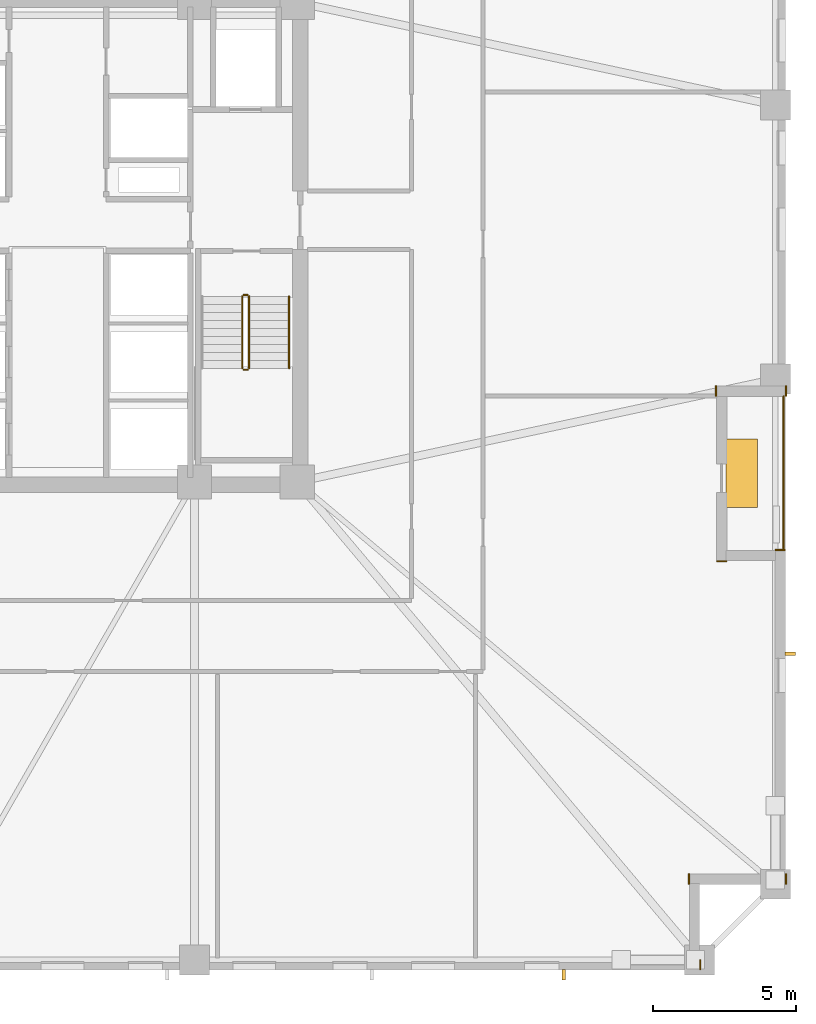
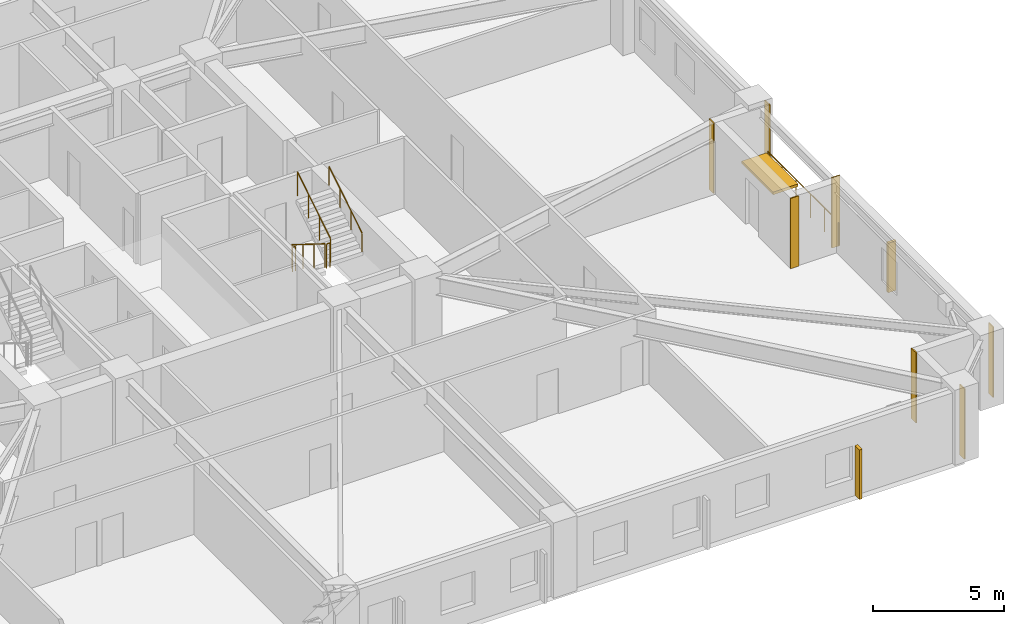
# One storey, part 9 of 11: 7 coverings, 6 railings, 3 shading devices.
"""IFC4 building model written with IfcOpenShell, lengths in metres."""

from ifc_helpers import new_model, si_unit, direction, frame, frame_2d, origin, origin_2d, place, context, subcontext, project, spatial, rectangle, circle, extrude, material, layer, layer_set, type_object, element, save


model = new_model("IFC4")

# Units and contexts
model_context = context("Model", 3, precision=1e-05, world=origin(), true_north=direction((0.0, 1.0)))
body_context = subcontext(model_context, "Body", "Model", "MODEL_VIEW")
ifc_project = project(units=[si_unit("LENGTHUNIT", "METRE"), si_unit("AREAUNIT", "SQUARE_METRE"), si_unit("VOLUMEUNIT", "CUBIC_METRE"), si_unit("PLANEANGLEUNIT", "RADIAN"), si_unit("MASSUNIT", "GRAM", prefix="KILO")], contexts=[model_context])

# Site, building, storey
site_placement = place(None, origin())
site = spatial("IfcSite", under=ifc_project, at=site_placement, CompositionType="ELEMENT")
building_placement = place(site_placement, origin())
building = spatial("IfcBuilding", under=site, at=building_placement, Name="Cairnveth Concourse Tower", CompositionType="ELEMENT")
storey_placement = place(building_placement, frame((0.0, 0.0, 62.0)))
storey = spatial("IfcBuildingStorey", under=building, at=storey_placement, Name="L16", CompositionType="ELEMENT", Elevation=62.0)

# Coverings
ifc_material_1 = material(Name="Dressed Melbourne Bluestone Cladding", Category="masonry")
ifc_layer = layer(ifc_material_1, 0.050048828125)
ifc_layer_set = layer_set([ifc_layer], Name="Dressed Melbourne Bluestone Cladding")
covering_type = type_object("IfcCoveringType", Name="DRESSED BLUESTONE PLINTH CLADDING 50", PredefinedType="CLADDING", material=ifc_layer_set)
for number, where, z_axis, x_axis, name in (
    (1, (77.139892578125, 28.219970703125, 0.0), (0.0, 0.0, 1.0), (1.0, 0.0, 0.0), "Melbourne Bluestone Corner Quoin L16-199"),
    (2, (77.52001953125, 16.860107421875, 0.0), (0.0, 0.0, 1.0), (0.0, -1.0, 0.0), "Melbourne Bluestone Corner Quoin L16-200"),
    (3, (74.1201171875, 16.860107421875, 0.0), (0.0, 0.0, 1.0), (0.0, -1.0, 0.0), "Melbourne Bluestone Corner Quoin L16-201"),
    (4, (74.52001953125, 13.860107421875, 0.0), (0.0, 0.0, 1.0), (0.0, -1.0, 0.0), "Melbourne Bluestone Corner Quoin L16-202"),
):
    element("IfcCovering", number, at=place(storey_placement, frame(where, z_axis=z_axis, x_axis=x_axis)), inside=storey, type_object=covering_type, Name=name, PredefinedType="CLADDING", context=body_context, shape_type="SweptSolid", body=[
        extrude(rectangle(XDim=0.360107421875, YDim=0.050048828125, at=frame_2d((0.18017578125, 0.0))), origin(), (0.0, 0.0, 1.0), 3.280029296875),
    ])
for number, where, z_axis, x_axis, name in (
    (5, (77.52001953125, 33.9599609375, 0.0), (0.0, 0.0, 1.0), (0.0, -1.0, 0.0), "Melbourne Bluestone Corner Quoin L16-212"),
    (6, (75.070068359375, 33.9599609375, 0.0), (0.0, 0.0, 1.0), (0.0, -1.0, 0.0), "Melbourne Bluestone Corner Quoin L16-213"),
    (7, (75.090087890625, 27.820068359375, 0.0), (0.0, 0.0, 1.0), (1.0, 0.0, 0.0), "Melbourne Bluestone Corner Quoin L16-214"),
):
    element("IfcCovering", number, at=place(storey_placement, frame(where, z_axis=z_axis, x_axis=x_axis)), inside=storey, type_object=covering_type, Name=name, PredefinedType="CLADDING", context=body_context, shape_type="SweptSolid", body=[
        extrude(rectangle(XDim=0.35986328125, YDim=0.050048828125, at=frame_2d((0.179931640625, 0.0))), origin(), (0.0, 0.0, 1.0), 3.280029296875),
    ])

# Shading devices
ifc_material_2 = material(Name="Architectural Bronze Anodised Aluminium 6063-T6", Category="aluminium")
shading_device_type_1 = type_object("IfcShadingDeviceType", Name="GOTHIC BRONZE VERTICAL LANCET FIN", PredefinedType="USERDEFINED", material=ifc_material_2)
for number, where, z_axis, x_axis, name in (
    (8, (77.675048828125, 24.5791015625, 0.02978515625), (0.0, 0.0, 1.0), (0.0, 1.0, 0.0), "Gothic Bronze Vertical Fin L16-0-1"),
    (9, (69.72998046875, 13.324951171875, 0.02978515625), (0.0, 0.0, 1.0), (1.0, 0.0, 0.0), "Gothic Bronze Vertical Fin L16-3-1"),
):
    element("IfcShadingDevice", number, at=place(storey_placement, frame(where, z_axis=z_axis, x_axis=x_axis)), inside=storey, type_object=shading_device_type_1, Name=name, ObjectType="VERTICAL FIN", PredefinedType="USERDEFINED", context=body_context, shape_type="SweptSolid", body=[
        extrude(rectangle(XDim=0.1201171875, YDim=0.360107421875, at=origin_2d()), origin(), (0.0, 0.0, 1.0), 2.303955078125),
    ])
shading_device_type_2 = type_object("IfcShadingDeviceType", Name="SPIRAL TERRACE SUNSHADE CANOPY", PredefinedType="USERDEFINED", material=ifc_material_2)
shading_device_placement = place(storey_placement, frame((75.969970703125, 30.89990234375, 2.183837890625), z_axis=(0.0, 0.0, 1.0), x_axis=(1.0, 0.0, 0.0)))
element("IfcShadingDevice", 10, at=shading_device_placement, inside=storey, type_object=shading_device_type_2, Name="Spiral Terrace Sunshade L16", ObjectType="TERRACE SUNSHADE", PredefinedType="USERDEFINED", context=body_context, shape_type="SweptSolid", body=[
    extrude(rectangle(XDim=1.10009765625, YDim=2.39990234375, at=origin_2d()), origin(), (0.0, 0.0, 1.0), 0.1201171875),
])

# Railings
ifc_material_3 = material(Name="Steel Grade 350", Category="steel")
railing_type_1 = type_object("IfcRailingType", Name="STAIR GUARDRAIL 1150", PredefinedType="GUARDRAIL", material=ifc_material_3)
railing_1_placement = place(storey_placement, frame((58.469970703125, 37.10009765625, 0.175048828125)))
element("IfcRailing", 11, at=railing_1_placement, inside=storey, type_object=railing_type_1, Name="L16 ST-2 stair guard 1", PredefinedType="GUARDRAIL", context=body_context, shape_type="SweptSolid", body=[
    extrude(circle(Radius=0.02392578125, at=origin_2d()), frame((0.0, 0.0, 1.1259765625), z_axis=(0.0, -0.848007534815, 0.529984170421), x_axis=(1.0, 0.0, 0.0)), (0.0, 0.0, 1.0), 2.9716796875),
    extrude(circle(Radius=0.02099609375, at=origin_2d()), origin(), (0.0, 0.0, 1.0), 1.101806640625),
    extrude(circle(Radius=0.02099609375, at=origin_2d()), frame((0.0, -0.840087890625, 0.52490234375)), (0.0, 0.0, 1.0), 1.101806640625),
    extrude(circle(Radius=0.02099609375, at=origin_2d()), frame((0.0, -1.679931640625, 1.050048828125)), (0.0, 0.0, 1.0), 1.101806640625),
    extrude(circle(Radius=0.02099609375, at=origin_2d()), frame((0.0, -2.52001953125, 1.574951171875)), (0.0, 0.0, 1.0), 1.101806640625),
])
railing_2_placement = place(storey_placement, frame((58.52001953125, 34.530029296875, 1.75)))
element("IfcRailing", 12, at=railing_2_placement, inside=storey, type_object=railing_type_1, Name="L16 ST-2 stair guard 2", PredefinedType="GUARDRAIL", context=body_context, shape_type="SweptSolid", body=[
    extrude(circle(Radius=0.02392578125, at=origin_2d()), frame((0.0, 0.0, 1.1259765625), z_axis=(1.0, 0.0, 0.0), x_axis=(0.0, 1.0, 0.0)), (0.0, 0.0, 1.0), 0.139892578125),
    extrude(circle(Radius=0.02099609375, at=origin_2d()), origin(), (0.0, 0.0, 1.0), 1.101806640625),
    extrude(circle(Radius=0.02099609375, at=origin_2d()), frame((0.139892578125, 0.0, 0.0)), (0.0, 0.0, 1.0), 1.101806640625),
])
railing_3_placement = place(storey_placement, frame((58.7099609375, 34.580078125, 1.925048828125)))
element("IfcRailing", 13, at=railing_3_placement, inside=storey, type_object=railing_type_1, Name="L16 ST-2 stair guard 3", PredefinedType="GUARDRAIL", context=body_context, shape_type="SweptSolid", body=[
    extrude(circle(Radius=0.02392578125, at=origin_2d()), frame((0.0, 0.0, 1.1259765625), z_axis=(0.0, 0.848007534815, 0.529984170421), x_axis=(-1.0, 0.0, 0.0)), (0.0, 0.0, 1.0), 2.9716796875),
    extrude(circle(Radius=0.02099609375, at=origin_2d()), origin(), (0.0, 0.0, 1.0), 1.101806640625),
    extrude(circle(Radius=0.02099609375, at=origin_2d()), frame((0.0, 0.840087890625, 0.52490234375)), (0.0, 0.0, 1.0), 1.101806640625),
    extrude(circle(Radius=0.02099609375, at=origin_2d()), frame((0.0, 1.679931640625, 1.050048828125)), (0.0, 0.0, 1.0), 1.101806640625),
    extrude(circle(Radius=0.02099609375, at=origin_2d()), frame((0.0, 2.52001953125, 1.574951171875)), (0.0, 0.0, 1.0), 1.101806640625),
])
railing_4_placement = place(storey_placement, frame((58.52001953125, 37.14990234375, 0.0)))
element("IfcRailing", 14, at=railing_4_placement, inside=storey, type_object=railing_type_1, Name="L16 ST-2 stair guard 4", PredefinedType="GUARDRAIL", context=body_context, shape_type="SweptSolid", body=[
    extrude(circle(Radius=0.02392578125, at=origin_2d()), frame((0.0, 0.0, 1.1259765625), z_axis=(1.0, 0.0, 0.0), x_axis=(0.0, 1.0, 0.0)), (0.0, 0.0, 1.0), 0.139892578125),
    extrude(circle(Radius=0.02099609375, at=origin_2d()), origin(), (0.0, 0.0, 1.0), 1.101806640625),
    extrude(circle(Radius=0.02099609375, at=origin_2d()), frame((0.139892578125, 0.0, 0.0)), (0.0, 0.0, 1.0), 1.101806640625),
])
railing_type_2 = type_object("IfcRailingType", Name="STAIR WALL HANDRAIL 900", PredefinedType="HANDRAIL", material=ifc_material_3)
railing_5_placement = place(storey_placement, frame((60.110107421875, 34.580078125, 1.925048828125)))
element("IfcRailing", 15, at=railing_5_placement, inside=storey, type_object=railing_type_2, Name="L16 ST-2 stair handrail 2", PredefinedType="HANDRAIL", context=body_context, shape_type="SweptSolid", body=[
    extrude(circle(Radius=0.02392578125, at=origin_2d()), frame((0.0, 0.0, 0.8759765625), z_axis=(0.0, 0.848007534815, 0.529984170421), x_axis=(-1.0, 0.0, 0.0)), (0.0, 0.0, 1.0), 2.9716796875),
    extrude(circle(Radius=0.02099609375, at=origin_2d()), origin(), (0.0, 0.0, 1.0), 0.851806640625),
    extrude(circle(Radius=0.02099609375, at=origin_2d()), frame((0.0, 0.840087890625, 0.52490234375)), (0.0, 0.0, 1.0), 0.851806640625),
    extrude(circle(Radius=0.02099609375, at=origin_2d()), frame((0.0, 1.679931640625, 1.050048828125)), (0.0, 0.0, 1.0), 0.851806640625),
    extrude(circle(Radius=0.02099609375, at=origin_2d()), frame((0.0, 2.52001953125, 1.574951171875)), (0.0, 0.0, 1.0), 0.851806640625),
])
railing_type_3 = type_object("IfcRailingType", Name="TERRACE BRONZE BALUSTRADE 1150", PredefinedType="BALUSTRADE", material=ifc_material_2)
railing_6_placement = place(storey_placement, frame((77.43994140625, 28.199951171875, 0.0)))
element("IfcRailing", 16, at=railing_6_placement, inside=storey, type_object=railing_type_3, Name="Terrace Balustrade RL-L16-TERR", PredefinedType="BALUSTRADE", context=body_context, shape_type="SweptSolid", body=[
    extrude(circle(Radius=0.02490234375, at=origin_2d()), frame((0.0, 0.0, 1.125), z_axis=(0.0, 1.0, 0.0), x_axis=(-1.0, 0.0, 0.0)), (0.0, 0.0, 1.0), 5.400146484375),
    extrude(circle(Radius=0.02099609375, at=origin_2d()), origin(), (0.0, 0.0, 1.0), 1.099853515625),
    extrude(circle(Radius=0.02099609375, at=origin_2d()), frame((0.0, 1.080078125, 0.0)), (0.0, 0.0, 1.0), 1.099853515625),
    extrude(circle(Radius=0.02099609375, at=origin_2d()), frame((0.0, 2.16015625, 0.0)), (0.0, 0.0, 1.0), 1.099853515625),
    extrude(circle(Radius=0.02099609375, at=origin_2d()), frame((0.0, 3.239990234375, 0.0)), (0.0, 0.0, 1.0), 1.099853515625),
    extrude(circle(Radius=0.02099609375, at=origin_2d()), frame((0.0, 4.320068359375, 0.0)), (0.0, 0.0, 1.0), 1.099853515625),
    extrude(circle(Radius=0.02099609375, at=origin_2d()), frame((0.0, 5.400146484375, 0.0)), (0.0, 0.0, 1.0), 1.099853515625),
])

save(model, "model.ifc")
